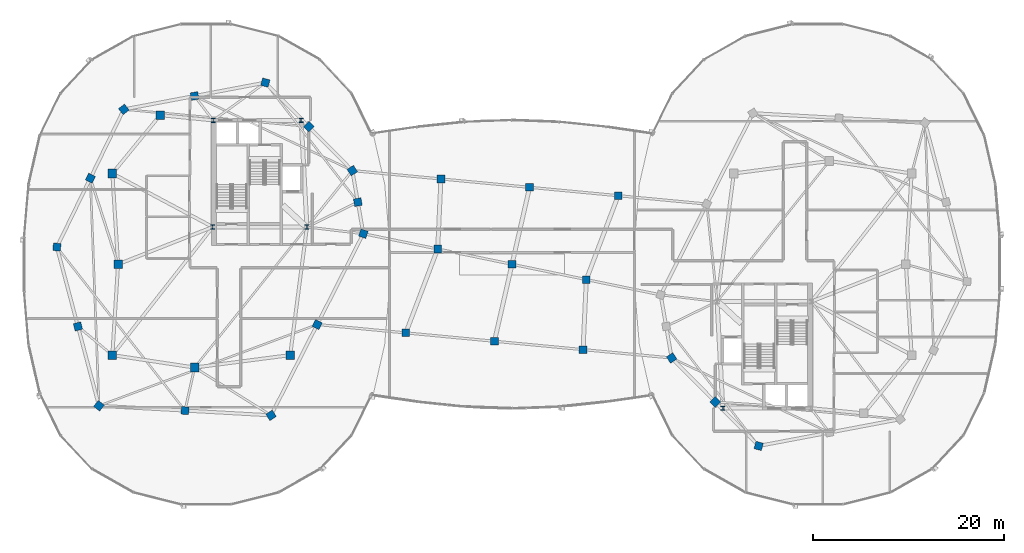
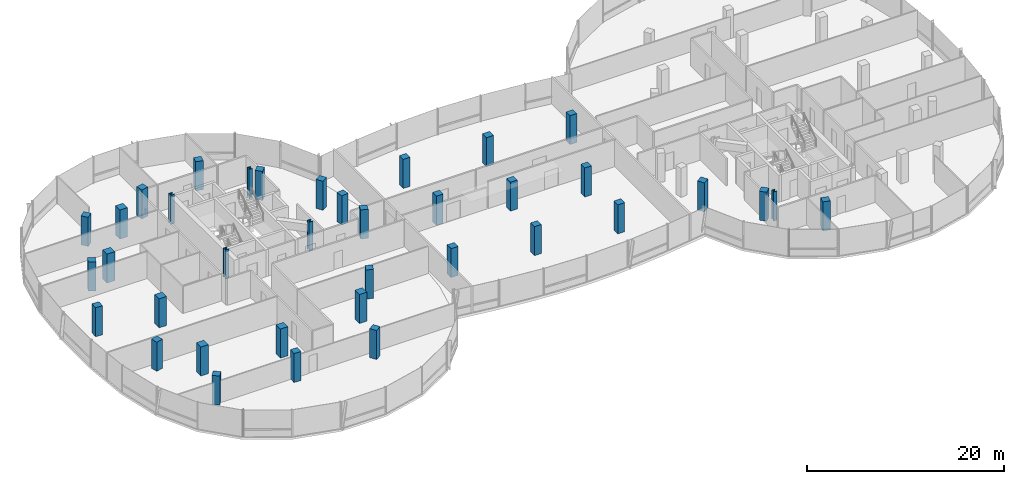
# One storey, part 1 of 26: 37 columns.
"""IFC4 building model written with IfcOpenShell, lengths in metres."""

from ifc_helpers import new_model, si_unit, direction, frame, origin, origin_2d, place, context, subcontext, project, spatial, rectangle, i_section, extrude, material, material_profile, profile_set, type_object, element, save


model = new_model("IFC4")

# Units and contexts
model_context = context("Model", 3, precision=1e-05, world=origin(), true_north=direction((0.0, 1.0)))
body_context = subcontext(model_context, "Body", "Model", "MODEL_VIEW")
ifc_project = project(units=[si_unit("LENGTHUNIT", "METRE"), si_unit("AREAUNIT", "SQUARE_METRE"), si_unit("VOLUMEUNIT", "CUBIC_METRE"), si_unit("PLANEANGLEUNIT", "RADIAN"), si_unit("MASSUNIT", "GRAM", prefix="KILO"), si_unit("THERMODYNAMICTEMPERATUREUNIT", "KELVIN"), si_unit("POWERUNIT", "WATT")], contexts=[model_context])

# Site, building, storey
site_placement = place(None, origin())
site = spatial("IfcSite", under=ifc_project, at=site_placement, CompositionType="ELEMENT")
building_placement = place(site_placement, origin())
building = spatial("IfcBuilding", under=site, at=building_placement, Name="Cundina Bronze Exchange", CompositionType="ELEMENT")
storey_placement = place(building_placement, frame((0.0, 0.0, 264.800048828125)))
storey = spatial("IfcBuildingStorey", under=building, at=storey_placement, Name="L70", CompositionType="ELEMENT", Elevation=264.800048828125)

# Columns
ifc_material_1 = material(Name="Concrete C50/60", Category="concrete")
ifc_material_profile_1 = material_profile(ifc_material_1, rectangle(XDim=0.800048828125, YDim=0.800048828125, at=origin_2d()), Name="RC800X800", Category="concrete")
ifc_profile_set_1 = profile_set([ifc_material_profile_1], Name="Concrete C50/60")
column_type_1 = type_object("IfcColumnType", Name="COL-BRG-800", PredefinedType="COLUMN", material=ifc_profile_set_1)
for number, where, z_axis, x_axis, name in (
    (1, (-15.550048828125, 3.199951171875, 0.0), (0.0, 0.0, 1.0), (0.315152163383, 0.949041155016, 0.0), "L70 W Perimeter Column 00"),
    (2, (-16.125, 6.5, 0.0), (0.0, 0.0, 1.0), (-0.171585221787, 0.985169280715, 0.0), "L70 W Perimeter Column 01"),
    (3, (-16.699951171875, 9.800048828125, 0.0), (0.0, 0.0, 1.0), (-0.544199833495, 0.838955625301, 0.0), "L70 W Perimeter Column 02"),
    (4, (-21.25, 14.39990234375, 0.0), (0.0, 0.0, 1.0), (-0.703270634186, 0.710922228581, 0.0), "L70 W Perimeter Column 03"),
    (5, (-25.800048828125, 19.0, 0.0), (0.0, 0.0, 1.0), (-0.965970984022, 0.258650455301, 0.0), "L70 W Perimeter Column 04"),
    (6, (-33.199951171875, 17.60009765625, 0.0), (0.0, 0.0, 1.0), (-0.98258037664, -0.185838110843, 0.0), "L70 W Perimeter Column 05"),
    (7, (-40.60009765625, 16.199951171875, 0.0), (0.0, 0.0, 1.0), (-0.785100778485, -0.619368038909, 0.0), "L70 W Perimeter Column 06"),
    (8, (-44.10009765625, 9.0, 0.0), (0.0, 0.0, 1.0), (-0.437115766651, -0.899405251566, 0.0), "L70 W Perimeter Column 07"),
    (9, (-47.60009765625, 1.800048828125, 0.0), (0.0, 0.0, 1.0), (-0.083503921245, -0.996507448611, 0.0), "L70 W Perimeter Column 08"),
    (10, (-45.39990234375, -6.5, 0.0), (0.0, 0.0, 1.0), (0.256289373133, -0.966600102017, 0.0), "L70 W Perimeter Column 09"),
    (11, (-43.199951171875, -14.800048828125, 0.0), (0.0, 0.0, 1.0), (0.786288432137, -0.61785961309, 0.0), "L70 W Perimeter Column 10"),
    (12, (-34.199951171875, -15.300048828125, 0.0), (0.0, 0.0, 1.0), (0.998460188734, -0.055472980025, 0.0), "L70 W Perimeter Column 11"),
    (13, (-25.199951171875, -15.800048828125, 0.0), (0.0, 0.0, 1.0), (0.838099763533, 0.545516989988, 0.0), "L70 W Perimeter Column 12"),
    (14, (-20.375, -6.300048828125, 0.0), (0.0, 0.0, 1.0), (0.452901591366, 0.891560513111, 0.0), "L70 W Perimeter Column 13"),
    (15, (16.699951171875, -9.800048828125, 0.0), (0.0, 0.0, 1.0), (0.544199833495, -0.838955625301, 0.0), "L70 E Perimeter Column 02"),
    (16, (21.25, -14.39990234375, 0.0), (0.0, 0.0, 1.0), (0.703270634186, -0.710922228581, 0.0), "L70 E Perimeter Column 03"),
    (17, (25.800048828125, -19.0, 0.0), (0.0, 0.0, 1.0), (0.965970984022, -0.258650455301, 0.0), "L70 E Perimeter Column 04"),
    (18, (-11.106201171875, -7.175048828125, 0.0), (0.0, 0.0, 1.0), (1.0, 0.0, 0.0), "L70 Sky-Gate Bridge Column Y1-X1"),
    (19, (-1.83740234375, -8.050048828125, 0.0), (0.0, 0.0, 1.0), (1.0, 0.0, 0.0), "L70 Sky-Gate Bridge Column Y1-X2"),
    (20, (7.431396484375, -8.925048828125, 0.0), (0.0, 0.0, 1.0), (1.0, 0.0, 0.0), "L70 Sky-Gate Bridge Column Y1-X3"),
    (21, (-7.77490234375, 1.60009765625, 0.0), (0.0, 0.0, 1.0), (1.0, 0.0, 0.0), "L70 Sky-Gate Bridge Column Y2-X1"),
    (22, (0.0, 0.0, 0.0), (0.0, 0.0, 1.0), (1.0, 0.0, 0.0), "L70 Sky-Gate Bridge Column Y2-X2"),
    (23, (7.77490234375, -1.60009765625, 0.0), (0.0, 0.0, 1.0), (1.0, 0.0, 0.0), "L70 Sky-Gate Bridge Column Y2-X3"),
    (24, (-7.43115234375, 8.925048828125, 0.0), (0.0, 0.0, 1.0), (1.0, 0.0, 0.0), "L70 Sky-Gate Bridge Column Y3-X1"),
    (25, (1.83740234375, 8.050048828125, 0.0), (0.0, 0.0, 1.0), (1.0, 0.0, 0.0), "L70 Sky-Gate Bridge Column Y3-X2"),
    (26, (11.106201171875, 7.175048828125, 0.0), (0.0, 0.0, 1.0), (1.0, 0.0, 0.0), "L70 Sky-Gate Bridge Column Y3-X3"),
):
    element("IfcColumn", number, at=place(storey_placement, frame(where, z_axis=z_axis, x_axis=x_axis)), inside=storey, type_object=column_type_1, Name=name, PredefinedType="COLUMN", context=body_context, shape_type="SweptSolid", body=[
        extrude(rectangle(XDim=0.800048828125, YDim=0.800048828125, at=origin_2d()), origin(), (0.0, 0.0, 1.0), 3.599853515625),
    ])
ifc_material_2 = material(Name="Steel ASTM A992 Grade 50", Category="steel")
ifc_material_profile_2 = material_profile(ifc_material_2, i_section(OverallWidth=0.416015625, OverallDepth=0.446044921875, WebThickness=0.0390625, FlangeThickness=0.062744140625, FilletRadius=0.01806640625, at=origin_2d()), Name="W14X342", Category="steel")
ifc_profile_set_2 = profile_set([ifc_material_profile_2], Name="Steel ASTM A992 Grade 50")
column_type_2 = type_object("IfcColumnType", Name="COL-STL-W14B", PredefinedType="COLUMN", material=ifc_profile_set_2)
for number, where, z_axis, x_axis, name in (
    (27, (-31.300048828125, 3.89990234375, 0.0), (0.0, 0.0, 1.0), (1.0, 0.0, 0.0), "L70 Core Anchor Column W1"),
    (28, (-21.449951171875, 3.89990234375, 0.0), (0.0, 0.0, 1.0), (1.0, 0.0, 0.0), "L70 Core Anchor Column W2"),
    (29, (-22.050048828125, 15.050048828125, 0.0), (0.0, 0.0, 1.0), (1.0, 0.0, 0.0), "L70 Core Anchor Column W3"),
    (30, (-31.25, 15.050048828125, 0.0), (0.0, 0.0, 1.0), (1.0, 0.0, 0.0), "L70 Core Anchor Column W4"),
    (31, (22.050048828125, -15.050048828125, 0.0), (0.0, 0.0, 1.0), (1.0, 0.0, 0.0), "L70 Core Anchor Column E3"),
):
    element("IfcColumn", number, at=place(storey_placement, frame(where, z_axis=z_axis, x_axis=x_axis)), inside=storey, type_object=column_type_2, Name=name, PredefinedType="COLUMN", context=body_context, shape_type="SweptSolid", body=[
        extrude(i_section(OverallWidth=0.416015625, OverallDepth=0.446044921875, WebThickness=0.0390625, FlangeThickness=0.062744140625, FilletRadius=0.01806640625, at=origin_2d()), origin(), (0.0, 0.0, 1.0), 3.599853515625),
    ])
ifc_material_profile_3 = material_profile(ifc_material_1, rectangle(XDim=0.89990234375, YDim=0.89990234375, at=origin_2d()), Name="RC900X900", Category="concrete")
ifc_profile_set_3 = profile_set([ifc_material_profile_3], Name="Concrete C50/60")
column_type_3 = type_object("IfcColumnType", Name="COL-Z4-900", PredefinedType="COLUMN", material=ifc_profile_set_3)
for number, where, z_axis, x_axis, name in (
    (32, (-41.199951171875, 0.0, 0.0), (0.0, 0.0, 1.0), (1.0, 0.0, 0.0), "L70 W Inner Ring Column 1"),
    (33, (-41.800048828125, 9.5, 0.0), (0.0, 0.0, 1.0), (1.0, 0.0, 0.0), "L70 W Inner Ring Column 2"),
    (34, (-36.800048828125, 15.60009765625, 0.0), (0.0, 0.0, 1.0), (1.0, 0.0, 0.0), "L70 W Inner Ring Column 3"),
    (35, (-41.800048828125, -9.5, 0.0), (0.0, 0.0, 1.0), (1.0, 0.0, 0.0), "L70 W Inner Ring Column 4"),
    (36, (-33.199951171875, -10.800048828125, 0.0), (0.0, 0.0, 1.0), (1.0, 0.0, 0.0), "L70 W Inner Ring Column 5"),
    (37, (-23.199951171875, -9.5, 0.0), (0.0, 0.0, 1.0), (1.0, 0.0, 0.0), "L70 W Inner Ring Column 6"),
):
    element("IfcColumn", number, at=place(storey_placement, frame(where, z_axis=z_axis, x_axis=x_axis)), inside=storey, type_object=column_type_3, Name=name, PredefinedType="COLUMN", context=body_context, shape_type="SweptSolid", body=[
        extrude(rectangle(XDim=0.89990234375, YDim=0.89990234375, at=origin_2d()), origin(), (0.0, 0.0, 1.0), 3.599853515625),
    ])

save(model, "model.ifc")
